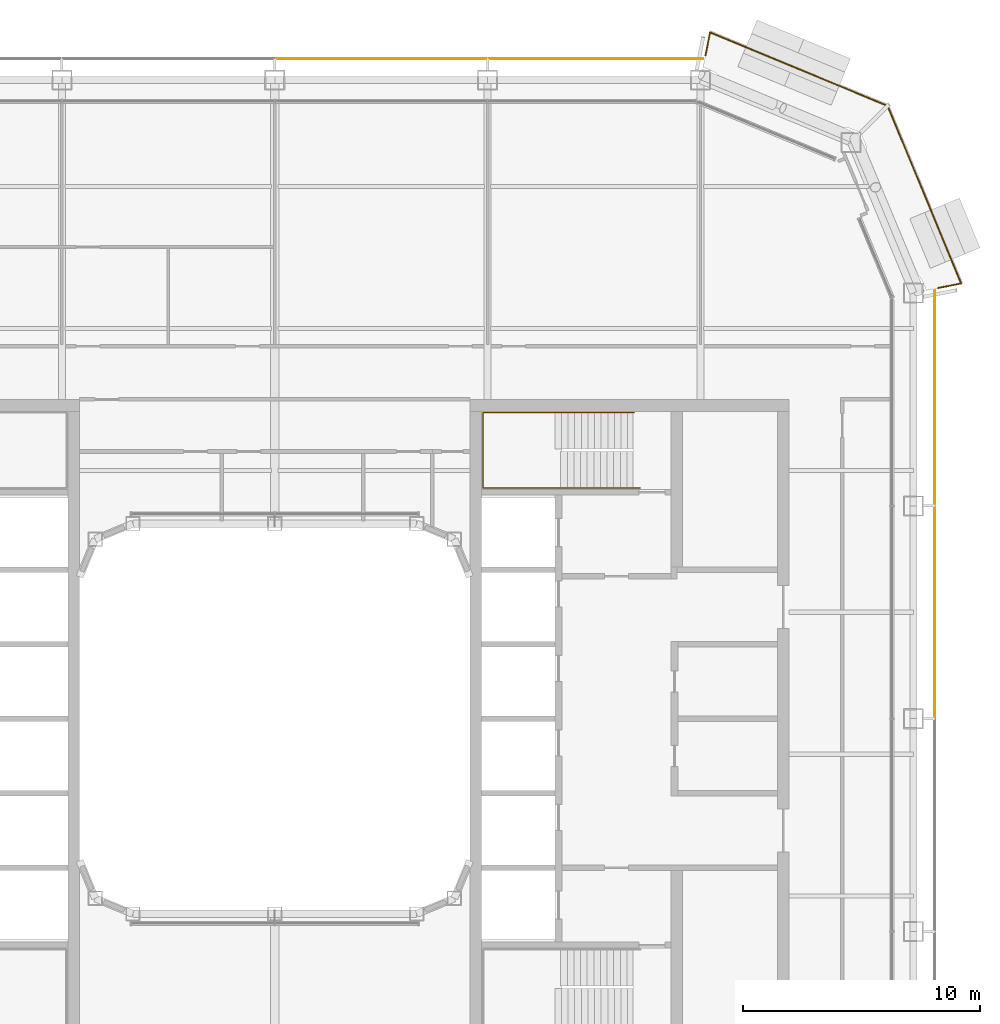
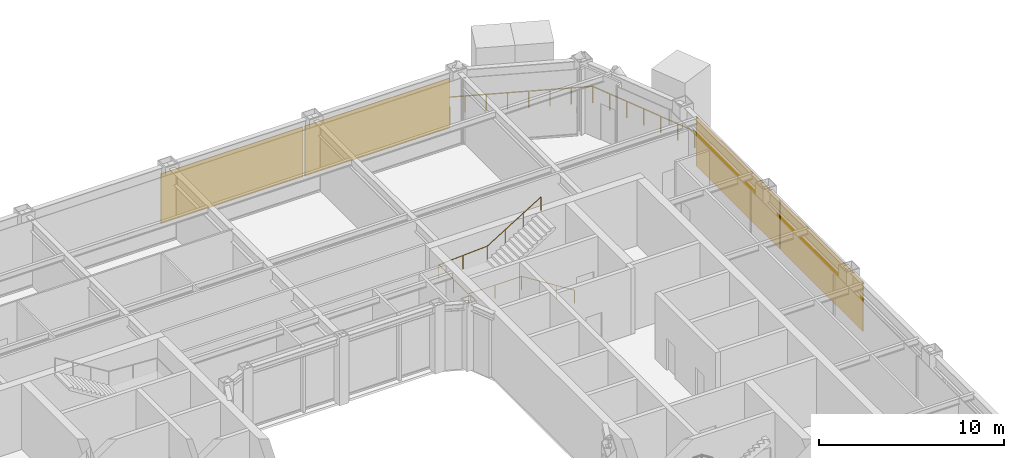
# One storey, part 22 of 23: 4 coverings, 2 railings.
"""IFC4 building model written with IfcOpenShell, lengths in metres."""

from ifc_helpers import new_model, si_unit, direction, frame, origin, origin_2d, place, context, subcontext, project, spatial, rectangle, circle, extrude, material, layer, layer_set, type_object, element, save


model = new_model("IFC4")

# Units and contexts
model_context = context("Model", 3, precision=1e-05, world=origin(), true_north=direction((0.0, 1.0)))
body_context = subcontext(model_context, "Body", "Model", "MODEL_VIEW")
ifc_project = project(units=[si_unit("LENGTHUNIT", "METRE"), si_unit("AREAUNIT", "SQUARE_METRE"), si_unit("VOLUMEUNIT", "CUBIC_METRE"), si_unit("PLANEANGLEUNIT", "RADIAN"), si_unit("MASSUNIT", "GRAM", prefix="KILO")], contexts=[model_context])

# Site, building, storey
site_placement = place(None, origin())
site = spatial("IfcSite", under=ifc_project, at=site_placement, CompositionType="ELEMENT")
building_placement = place(site_placement, origin())
building = spatial("IfcBuilding", under=site, at=building_placement, Name="Siwar Civic Tower", CompositionType="ELEMENT")
storey_placement = place(building_placement, frame((0.0, 0.0, 224.199951171875)))
storey = spatial("IfcBuildingStorey", under=building, at=storey_placement, Name="L48", CompositionType="ELEMENT", Elevation=224.199951171875)

# Railings
ifc_material_1 = material(Name="Stainless steel", Category="steel")
railing_type_1 = type_object("IfcRailingType", Name="CORE-STAIR-HANDRAIL", PredefinedType="HANDRAIL", material=ifc_material_1)
railing_1_placement = place(storey_placement, frame((15.449951171875, 9.758056640625, 0.173095703125)))
element("IfcRailing", 1, at=railing_1_placement, inside=storey, type_object=railing_type_1, Name="Stair handrail ST3", PredefinedType="HANDRAIL", context=body_context, shape_type="SweptSolid", body=[
    extrude(circle(Radius=0.02001953125, at=origin_2d()), frame((0.0, 0.0, 0.8798828125), z_axis=(-0.847063342986, 0.0, 0.531491950051), x_axis=(0.0, -1.0, 0.0)), (0.0, 0.0, 1.0), 3.90771484375),
    extrude(circle(Radius=0.02001953125, at=origin_2d()), frame((-3.31005859375, 0.0, 2.956787109375), z_axis=(-1.0, 0.0, 0.0), x_axis=(0.0, -1.0, 0.0)), (0.0, 0.0, 1.0), 3.331787109375),
    extrude(circle(Radius=0.02001953125, at=origin_2d()), frame((-6.641845703125, 0.0, 2.956787109375), z_axis=(0.0, 1.0, 0.0), x_axis=(-1.0, 0.0, 0.0)), (0.0, 0.0, 1.0), 3.183837890625),
    extrude(circle(Radius=0.02001953125, at=origin_2d()), frame((-6.641845703125, 3.183837890625, 2.956787109375), z_axis=(0.99837434197, 0.0, 0.056997134106), x_axis=(0.0, 1.0, 0.0)), (0.0, 0.0, 1.0), 3.036865234375),
    extrude(circle(Radius=0.02001953125, at=origin_2d()), frame((-3.60986328125, 3.183837890625, 3.1298828125), z_axis=(0.850606129759, 0.0, 0.525803396734), x_axis=(0.0, 1.0, 0.0)), (0.0, 0.0, 1.0), 3.949951171875),
    extrude(circle(Radius=0.02001953125, at=origin_2d()), origin(), (0.0, 0.0, 1.0), 0.85986328125),
    extrude(circle(Radius=0.02001953125, at=origin_2d()), frame((-1.103271484375, 0.0, 0.6923828125)), (0.0, 0.0, 1.0), 0.85986328125),
    extrude(circle(Radius=0.02001953125, at=origin_2d()), frame((-2.206787109375, 0.0, 1.384521484375)), (0.0, 0.0, 1.0), 0.85986328125),
    extrude(circle(Radius=0.02001953125, at=origin_2d()), frame((-3.31005859375, 0.0, 2.076904296875)), (0.0, 0.0, 1.0), 0.85986328125),
    extrude(circle(Radius=0.02001953125, at=origin_2d()), frame((-4.97607421875, 0.0, 2.076904296875)), (0.0, 0.0, 1.0), 0.85986328125),
    extrude(circle(Radius=0.02001953125, at=origin_2d()), frame((-6.641845703125, 0.0, 2.076904296875)), (0.0, 0.0, 1.0), 0.85986328125),
    extrude(circle(Radius=0.02001953125, at=origin_2d()), frame((-6.641845703125, 1.591796875, 2.076904296875)), (0.0, 0.0, 1.0), 0.85986328125),
    extrude(circle(Radius=0.02001953125, at=origin_2d()), frame((-6.641845703125, 3.183837890625, 2.076904296875)), (0.0, 0.0, 1.0), 0.85986328125),
    extrude(circle(Radius=0.02001953125, at=origin_2d()), frame((-5.1259765625, 3.183837890625, 2.16357421875)), (0.0, 0.0, 1.0), 0.85986328125),
    extrude(circle(Radius=0.02001953125, at=origin_2d()), frame((-3.60986328125, 3.183837890625, 2.25)), (0.0, 0.0, 1.0), 0.85986328125),
    extrude(circle(Radius=0.02001953125, at=origin_2d()), frame((-2.489990234375, 3.183837890625, 2.9423828125)), (0.0, 0.0, 1.0), 0.85986328125),
    extrude(circle(Radius=0.02001953125, at=origin_2d()), frame((-1.369873046875, 3.183837890625, 3.634521484375)), (0.0, 0.0, 1.0), 0.85986328125),
    extrude(circle(Radius=0.02001953125, at=origin_2d()), frame((-0.25, 3.183837890625, 4.326904296875)), (0.0, 0.0, 1.0), 0.85986328125),
])
ifc_material_2 = material(Name="Stainless steel 316", Category="steel")
railing_type_2 = type_object("IfcRailingType", Name="ENV-GUARD", PredefinedType="GUARDRAIL", material=ifc_material_2)
railing_2_placement = place(storey_placement, frame((28.047119140625, 18.208251953125, 0.0)))
element("IfcRailing", 2, at=railing_2_placement, inside=storey, type_object=railing_type_2, Name="Balcony guard NE", PredefinedType="GUARDRAIL", context=body_context, shape_type="SweptSolid", body=[
    extrude(circle(Radius=0.02392578125, at=origin_2d()), frame((0.0, 0.0, 1.076171875), z_axis=(0.980778661911, 0.195123592472, 0.0), x_axis=(-0.195123592472, 0.980778661911, 0.0)), (0.0, 0.0, 1.0), 0.993408203125),
    extrude(circle(Radius=0.02392578125, at=origin_2d()), frame((0.974365234375, 0.19384765625, 1.076171875), z_axis=(-0.382176720888, 0.924089256518, 0.0), x_axis=(-0.924089256518, -0.382176720888, 0.0)), (0.0, 0.0, 1.0), 8.129638671875),
    extrude(circle(Radius=0.02392578125, at=origin_2d()), frame((-2.132568359375, 7.706298828125, 1.076171875), z_axis=(-0.924089256518, 0.382176720888, 0.0), x_axis=(-0.382176720888, -0.924089256518, 0.0)), (0.0, 0.0, 1.0), 8.129638671875),
    extrude(circle(Radius=0.02392578125, at=origin_2d()), frame((-9.64501953125, 10.813232421875, 1.076171875), z_axis=(-0.195123592472, -0.980778661911, 0.0), x_axis=(0.980778661911, -0.195123592472, 0.0)), (0.0, 0.0, 1.0), 0.993408203125),
    extrude(circle(Radius=0.02099609375, at=origin_2d()), origin(), (0.0, 0.0, 1.0), 1.052001953125),
    extrude(circle(Radius=0.02099609375, at=origin_2d()), frame((0.974365234375, 0.19384765625, 0.0)), (0.0, 0.0, 1.0), 1.052001953125),
    extrude(circle(Radius=0.02099609375, at=origin_2d()), frame((0.530517578125, 1.26708984375, 0.0)), (0.0, 0.0, 1.0), 1.052001953125),
    extrude(circle(Radius=0.02099609375, at=origin_2d()), frame((0.086669921875, 2.34033203125, 0.0)), (0.0, 0.0, 1.0), 1.052001953125),
    extrude(circle(Radius=0.02099609375, at=origin_2d()), frame((-0.357177734375, 3.41357421875, 0.0)), (0.0, 0.0, 1.0), 1.052001953125),
    extrude(circle(Radius=0.02099609375, at=origin_2d()), frame((-0.801025390625, 4.486572265625, 0.0)), (0.0, 0.0, 1.0), 1.052001953125),
    extrude(circle(Radius=0.02099609375, at=origin_2d()), frame((-1.244873046875, 5.559814453125, 0.0)), (0.0, 0.0, 1.0), 1.052001953125),
    extrude(circle(Radius=0.02099609375, at=origin_2d()), frame((-1.688720703125, 6.633056640625, 0.0)), (0.0, 0.0, 1.0), 1.052001953125),
    extrude(circle(Radius=0.02099609375, at=origin_2d()), frame((-2.132568359375, 7.706298828125, 0.0)), (0.0, 0.0, 1.0), 1.052001953125),
    extrude(circle(Radius=0.02099609375, at=origin_2d()), frame((-3.205810546875, 8.150146484375, 0.0)), (0.0, 0.0, 1.0), 1.052001953125),
    extrude(circle(Radius=0.02099609375, at=origin_2d()), frame((-4.279052734375, 8.593994140625, 0.0)), (0.0, 0.0, 1.0), 1.052001953125),
    extrude(circle(Radius=0.02099609375, at=origin_2d()), frame((-5.352294921875, 9.037841796875, 0.0)), (0.0, 0.0, 1.0), 1.052001953125),
    extrude(circle(Radius=0.02099609375, at=origin_2d()), frame((-6.42529296875, 9.481689453125, 0.0)), (0.0, 0.0, 1.0), 1.052001953125),
    extrude(circle(Radius=0.02099609375, at=origin_2d()), frame((-7.49853515625, 9.925537109375, 0.0)), (0.0, 0.0, 1.0), 1.052001953125),
    extrude(circle(Radius=0.02099609375, at=origin_2d()), frame((-8.57177734375, 10.369384765625, 0.0)), (0.0, 0.0, 1.0), 1.052001953125),
    extrude(circle(Radius=0.02099609375, at=origin_2d()), frame((-9.64501953125, 10.813232421875, 0.0)), (0.0, 0.0, 1.0), 1.052001953125),
    extrude(circle(Radius=0.02099609375, at=origin_2d()), frame((-9.8388671875, 9.8388671875, 0.0)), (0.0, 0.0, 1.0), 1.052001953125),
])

# Coverings
ifc_material_3 = material(Name="Perforated aluminium cassette, pale metal", Category="aluminium")
ifc_layer = layer(ifc_material_3, 0.0400390625)
ifc_layer_set = layer_set([ifc_layer], Name="Perforated aluminium cassette, pale metal")
covering_type = type_object("IfcCoveringType", Name="ENV-OUTER SKIN OS-1", PredefinedType="CLADDING", material=ifc_layer_set)
covering_1_placement = place(storey_placement, frame((27.89990234375, 4.5, -0.14990234375), z_axis=(0.0, 0.0, 1.0), x_axis=(0.0, 1.0, 0.0)))
element("IfcCovering", 3, at=covering_1_placement, inside=storey, type_object=covering_type, Name="OUTER SKIN OS-1 E 3", PredefinedType="CLADDING", context=body_context, shape_type="SweptSolid", body=[
    extrude(rectangle(XDim=8.89990234375, YDim=0.0400390625, at=origin_2d()), origin(), (0.0, 0.0, 1.0), 3.300048828125),
])
for number, where, z_axis, x_axis, name in (
    (4, (27.89990234375, 13.57958984375, -0.14990234375), (0.0, 0.0, 1.0), (0.0, 1.0, 0.0), "OUTER SKIN OS-1 E 4"),
    (5, (13.57958984375, 27.89990234375, -0.14990234375), (0.0, 0.0, 1.0), (-1.0, 0.0, 0.0), "OUTER SKIN OS-1 N 1"),
):
    element("IfcCovering", number, at=place(storey_placement, frame(where, z_axis=z_axis, x_axis=x_axis)), inside=storey, type_object=covering_type, Name=name, PredefinedType="CLADDING", context=body_context, shape_type="SweptSolid", body=[
        extrude(rectangle(XDim=9.05908203125, YDim=0.0400390625, at=origin_2d()), origin(), (0.0, 0.0, 1.0), 3.300048828125),
    ])
covering_2_placement = place(storey_placement, frame((4.5, 27.89990234375, -0.14990234375), z_axis=(0.0, 0.0, 1.0), x_axis=(-1.0, 0.0, 0.0)))
element("IfcCovering", 6, at=covering_2_placement, inside=storey, type_object=covering_type, Name="OUTER SKIN OS-1 N 2", PredefinedType="CLADDING", context=body_context, shape_type="SweptSolid", body=[
    extrude(rectangle(XDim=8.89990234375, YDim=0.0400390625, at=origin_2d()), origin(), (0.0, 0.0, 1.0), 3.300048828125),
])

save(model, "model.ifc")
